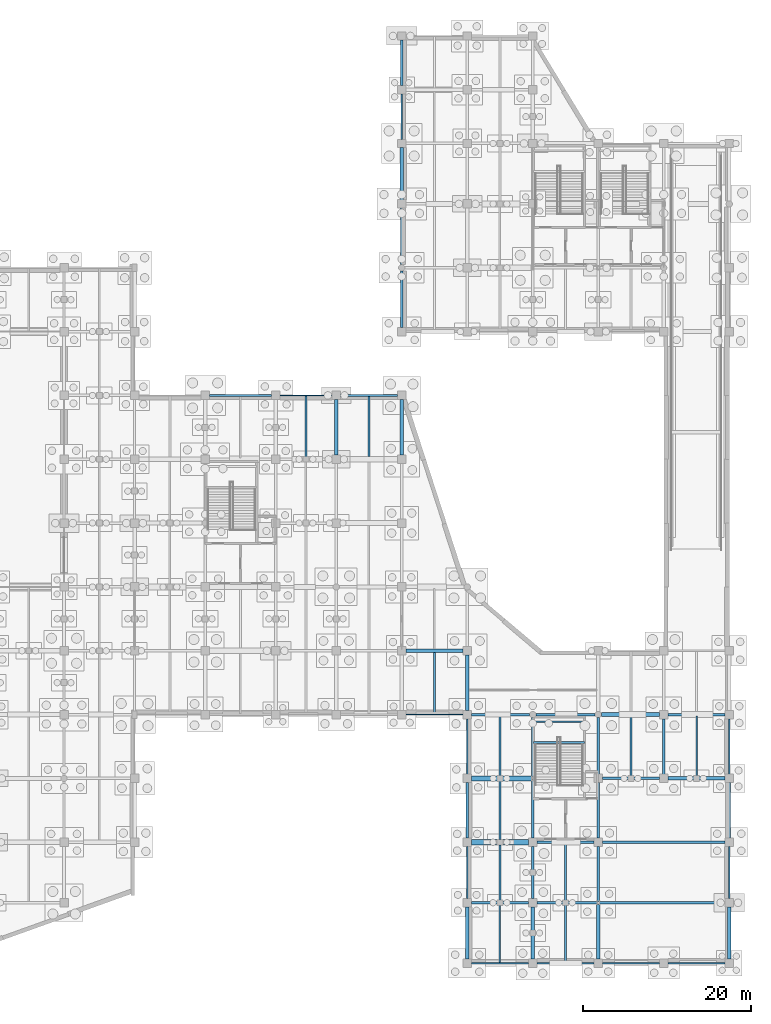
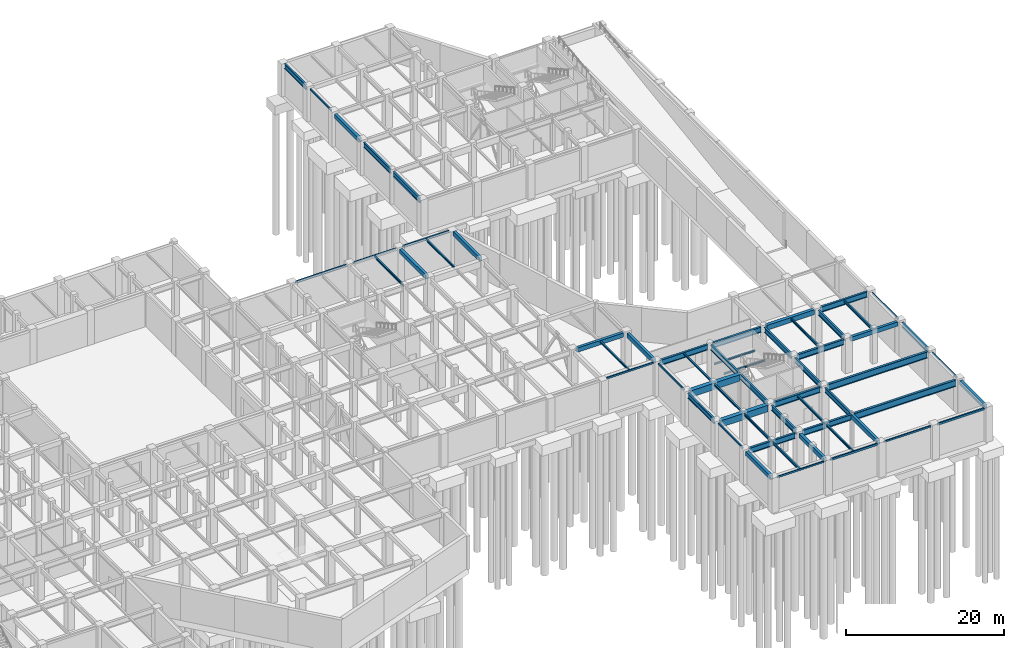
# One storey, part 28 of 52: 60 beams.
"""IFC4 building model written with IfcOpenShell, lengths in metres."""

from ifc_helpers import new_model, si_unit, direction, frame, origin, origin_2d, place, context, subcontext, project, spatial, rectangle, hollow_rectangle, i_section, extrude, material, material_profile, profile_set, type_object, element, save


model = new_model("IFC4")

# Units and contexts
model_context = context("Model", 3, precision=1e-05, world=origin(), true_north=direction((0.0, 1.0)))
body_context = subcontext(model_context, "Body", "Model", "MODEL_VIEW")
ifc_project = project(units=[si_unit("LENGTHUNIT", "METRE"), si_unit("AREAUNIT", "SQUARE_METRE"), si_unit("VOLUMEUNIT", "CUBIC_METRE"), si_unit("PLANEANGLEUNIT", "RADIAN"), si_unit("MASSUNIT", "GRAM", prefix="KILO")], contexts=[model_context])

# Site, building, storey
site_placement = place(None, origin())
site = spatial("IfcSite", under=ifc_project, at=site_placement, CompositionType="ELEMENT")
building_placement = place(site_placement, origin())
building = spatial("IfcBuilding", under=site, at=building_placement, Name="Xicomal Pleat Aquarium", CompositionType="ELEMENT")
storey_placement = place(building_placement, frame((0.0, 0.0, -5.39990234375)))
storey = spatial("IfcBuildingStorey", under=building, at=storey_placement, Name="B1", CompositionType="ELEMENT", Elevation=-5.39990234375)

# Beams
ifc_material_1 = material(Name="Concrete C40/50", Category="concrete")
ifc_material_profile_1 = material_profile(ifc_material_1, rectangle(XDim=0.39990234375, YDim=0.64990234375, at=origin_2d()), Name="RC 400x650")
ifc_profile_set_1 = profile_set([ifc_material_profile_1], Name="Concrete C40/50")
beam_type_1 = type_object("IfcBeamType", Name="BM-RC-400x650", PredefinedType="LINTEL", material=ifc_profile_set_1)
for number, where, z_axis, x_axis, name in (
    (1, (157.695068359375, 22.800048828125, 4.794921875), (1.0, 0.0, 0.0), (0.0, 1.0, 0.0), "B1 framing beam FGX-B1-20-21-D"),
    (2, (126.4951171875, 38.0, 4.81494140625), (1.0, 0.0, 0.0), (0.0, 1.0, 0.0), "B1 framing beam FGX-B1-16-17-F"),
):
    element("IfcBeam", number, at=place(storey_placement, frame(where, z_axis=z_axis, x_axis=x_axis)), inside=storey, type_object=beam_type_1, Name=name, PredefinedType="LINTEL", context=body_context, shape_type="SweptSolid", body=[
        extrude(rectangle(XDim=0.39990234375, YDim=0.64990234375, at=origin_2d()), origin(), (0.0, 0.0, 1.0), 6.809814453125),
    ])
for number, where, z_axis, x_axis, name in (
    (3, (118.199951171875, 61.294921875, 4.81494140625), (0.0, 1.0, 0.0), (-1.0, 0.0, 0.0), "B1 framing beam FGY-B1-15-J-K"),
    (4, (126.0, 61.294921875, 4.81494140625), (0.0, 1.0, 0.0), (-1.0, 0.0, 0.0), "B1 framing beam FGY-B1-16-J-K"),
):
    element("IfcBeam", number, at=place(storey_placement, frame(where, z_axis=z_axis, x_axis=x_axis)), inside=storey, type_object=beam_type_1, Name=name, PredefinedType="LINTEL", context=body_context, shape_type="SweptSolid", body=[
        extrude(rectangle(XDim=0.39990234375, YDim=0.64990234375, at=origin_2d()), origin(), (0.0, 0.0, 1.0), 6.610107421875),
    ])
for number, where, z_axis, x_axis, name in (
    (5, (126.0, 91.695068359375, 4.724853515625), (0.0, 1.0, 0.0), (-1.0, 0.0, 0.0), "B1 framing beam FGY-B1-16-N-P"),
    (6, (133.800048828125, 1.294921875, 4.794921875), (0.0, 1.0, 0.0), (-1.0, 0.0, 0.0), "B1 framing beam FGY-B1-17-A-B"),
):
    element("IfcBeam", number, at=place(storey_placement, frame(where, z_axis=z_axis, x_axis=x_axis)), inside=storey, type_object=beam_type_1, Name=name, PredefinedType="LINTEL", context=body_context, shape_type="SweptSolid", body=[
        extrude(rectangle(XDim=0.39990234375, YDim=0.64990234375, at=origin_2d()), origin(), (0.0, 0.0, 1.0), 6.2099609375),
    ])
beam_1_placement = place(storey_placement, frame((133.800048828125, 30.89501953125, 4.81494140625), z_axis=(0.0, 1.0, 0.0), x_axis=(-1.0, 0.0, 0.0)))
element("IfcBeam", 7, at=beam_1_placement, inside=storey, type_object=beam_type_1, Name="B1 framing beam FGY-B1-17-E-F", PredefinedType="LINTEL", context=body_context, shape_type="SweptSolid", body=[
    extrude(rectangle(XDim=0.39990234375, YDim=0.64990234375, at=origin_2d()), origin(), (0.0, 0.0, 1.0), 6.60986328125),
])
beam_2_placement = place(storey_placement, frame((141.60009765625, 1.294921875, 4.794921875), z_axis=(0.0, 1.0, 0.0), x_axis=(-1.0, 0.0, 0.0)))
element("IfcBeam", 8, at=beam_2_placement, inside=storey, type_object=beam_type_1, Name="B1 framing beam FGY-B1-18-A-B", PredefinedType="LINTEL", context=body_context, shape_type="SweptSolid", body=[
    extrude(rectangle(XDim=0.39990234375, YDim=0.64990234375, at=origin_2d()), origin(), (0.0, 0.0, 1.0), 6.2099609375),
])
beam_3_placement = place(storey_placement, frame((149.39990234375, 1.294921875, 4.794921875), z_axis=(0.0, 1.0, 0.0), x_axis=(-1.0, 0.0, 0.0)))
element("IfcBeam", 9, at=beam_3_placement, inside=storey, type_object=beam_type_1, Name="B1 framing beam FGY-B1-19-A-B", PredefinedType="LINTEL", context=body_context, shape_type="SweptSolid", body=[
    extrude(rectangle(XDim=0.39990234375, YDim=0.64990234375, at=origin_2d()), origin(), (0.0, 0.0, 1.0), 6.56005859375),
])
beam_4_placement = place(storey_placement, frame((165.0, 1.294921875, 4.794921875), z_axis=(0.0, 1.0, 0.0), x_axis=(-1.0, 0.0, 0.0)))
element("IfcBeam", 10, at=beam_4_placement, inside=storey, type_object=beam_type_1, Name="B1 framing beam FGY-B1-21-A-B", PredefinedType="LINTEL", context=body_context, shape_type="SweptSolid", body=[
    extrude(rectangle(XDim=0.39990234375, YDim=0.64990234375, at=origin_2d()), origin(), (0.0, 0.0, 1.0), 6.2099609375),
])
ifc_material_2 = material(Name="Concrete C40/50", Category="concrete")
ifc_material_profile_2 = material_profile(ifc_material_2, rectangle(XDim=0.449951171875, YDim=0.75, at=origin_2d()), Name="RC 450x750")
ifc_profile_set_2 = profile_set([ifc_material_profile_2], Name="Concrete C40/50")
beam_type_2 = type_object("IfcBeamType", Name="BM-RC-450x750", PredefinedType="BEAM", material=ifc_profile_set_2)
beam_5_placement = place(storey_placement, frame((149.77001953125, 30.39990234375, 4.744873046875), z_axis=(1.0, 0.0, 0.0), x_axis=(0.0, 1.0, 0.0)))
element("IfcBeam", 11, at=beam_5_placement, inside=storey, type_object=beam_type_2, Name="B1 framing beam FGX-B1-19-20-E", PredefinedType="BEAM", context=body_context, shape_type="SweptSolid", body=[
    extrude(rectangle(XDim=0.449951171875, YDim=0.75, at=origin_2d()), origin(), (0.0, 0.0, 1.0), 6.93505859375),
])
ifc_material_3 = material(Name="Concrete C40/50", Category="concrete")
ifc_material_profile_3 = material_profile(ifc_material_3, rectangle(XDim=0.60009765625, YDim=1.0, at=origin_2d()), Name="RC 600x1000")
ifc_profile_set_3 = profile_set([ifc_material_profile_3], Name="Concrete C40/50")
beam_type_3 = type_object("IfcBeamType", Name="BM-RC-600x1000", PredefinedType="T_BEAM", material=ifc_profile_set_3)
beam_6_placement = place(storey_placement, frame((134.294921875, 15.199951171875, 4.619873046875), z_axis=(1.0, 0.0, 0.0), x_axis=(0.0, 1.0, 0.0)))
element("IfcBeam", 12, at=beam_6_placement, inside=storey, type_object=beam_type_3, Name="B1 framing beam FGX-B1-17-18-C", PredefinedType="T_BEAM", context=body_context, shape_type="SweptSolid", body=[
    extrude(rectangle(XDim=0.60009765625, YDim=1.0, at=origin_2d()), origin(), (0.0, 0.0, 1.0), 6.81005859375),
])
beam_7_placement = place(storey_placement, frame((134.294921875, 22.800048828125, 4.619873046875), z_axis=(1.0, 0.0, 0.0), x_axis=(0.0, 1.0, 0.0)))
element("IfcBeam", 13, at=beam_7_placement, inside=storey, type_object=beam_type_3, Name="B1 framing beam FGX-B1-17-18-D", PredefinedType="T_BEAM", context=body_context, shape_type="SweptSolid", body=[
    extrude(rectangle(XDim=0.60009765625, YDim=1.0, at=origin_2d()), origin(), (0.0, 0.0, 1.0), 7.16015625),
])
ifc_material_4 = material(Name="Structural steel A992 Gr 50", Category="steel")
ifc_material_profile_4 = material_profile(ifc_material_4, i_section(OverallWidth=0.320068359375, OverallDepth=1.008056640625, WebThickness=0.01953125, FlangeThickness=0.033935546875, at=origin_2d()), Name="IR 1000x321")
ifc_profile_set_4 = profile_set([ifc_material_profile_4], Name="Structural steel A992 Gr 50")
beam_type_4 = type_object("IfcBeamType", Name="BM-STL-IR1000", PredefinedType="BEAM", material=ifc_profile_set_4)
beam_8_placement = place(storey_placement, frame((149.544921875, 8.0, 4.615966796875), z_axis=(1.0, 0.0, 0.0), x_axis=(0.0, 1.0, 0.0)))
element("IfcBeam", 14, at=beam_8_placement, inside=storey, type_object=beam_type_4, Name="B1 framing beam FGX-B1-19-21-B", PredefinedType="BEAM", context=body_context, shape_type="SweptSolid", body=[
    extrude(i_section(OverallWidth=0.320068359375, OverallDepth=1.008056640625, WebThickness=0.01953125, FlangeThickness=0.033935546875, at=origin_2d()), origin(), (0.0, 0.0, 1.0), 14.9599609375),
])
beam_9_placement = place(storey_placement, frame((149.89501953125, 15.199951171875, 4.615966796875), z_axis=(1.0, 0.0, 0.0), x_axis=(0.0, 1.0, 0.0)))
element("IfcBeam", 15, at=beam_9_placement, inside=storey, type_object=beam_type_4, Name="B1 framing beam FGX-B1-19-21-C", PredefinedType="BEAM", context=body_context, shape_type="SweptSolid", body=[
    extrude(i_section(OverallWidth=0.320068359375, OverallDepth=1.008056640625, WebThickness=0.01953125, FlangeThickness=0.033935546875, at=origin_2d()), origin(), (0.0, 0.0, 1.0), 14.60986328125),
])
ifc_material_5 = material(Name="Structural steel A992 Gr 50", Category="steel")
ifc_material_profile_5 = material_profile(ifc_material_5, i_section(OverallWidth=0.201904296875, OverallDepth=0.2470703125, WebThickness=0.00732421875, FlangeThickness=0.010986328125, at=origin_2d()), Name="IR 250x49")
ifc_profile_set_5 = profile_set([ifc_material_profile_5], Name="Structural steel A992 Gr 50")
beam_type_5 = type_object("IfcBeamType", Name="BM-STL-IR250", PredefinedType="JOIST", material=ifc_profile_set_5)
beam_10_placement = place(storey_placement, frame((129.89990234375, 30.47802734375, 5.016357421875), z_axis=(0.0, 1.0, 0.0), x_axis=(-1.0, 0.0, 0.0)))
element("IfcBeam", 16, at=beam_10_placement, inside=storey, type_object=beam_type_5, Name="B1 framing beam FBJ-B1-16-E-1", PredefinedType="JOIST", context=body_context, shape_type="SweptSolid", body=[
    extrude(i_section(OverallWidth=0.201904296875, OverallDepth=0.2470703125, WebThickness=0.00732421875, FlangeThickness=0.010986328125, at=origin_2d()), origin(), (0.0, 0.0, 1.0), 7.319091796875),
])
beam_11_placement = place(storey_placement, frame((137.699951171875, 23.10302734375, 4.996337890625), z_axis=(0.0, 1.0, 0.0), x_axis=(-1.0, 0.0, 0.0)))
element("IfcBeam", 17, at=beam_11_placement, inside=storey, type_object=beam_type_5, Name="B1 framing beam FBJ-B1-17-D-1", PredefinedType="JOIST", context=body_context, shape_type="SweptSolid", body=[
    extrude(i_section(OverallWidth=0.201904296875, OverallDepth=0.2470703125, WebThickness=0.00732421875, FlangeThickness=0.010986328125, at=origin_2d()), origin(), (0.0, 0.0, 1.0), 7.14697265625),
])
for number, where, z_axis, x_axis, name in (
    (18, (141.719970703125, 29.550048828125, 2.37890625), (1.0, 0.0, 0.0), (0.0, 1.0, 0.0), "ST-08-B1 half-landing bearer beam 1"),
    (19, (141.719970703125, 27.070068359375, 2.37890625), (1.0, 0.0, 0.0), (0.0, 1.0, 0.0), "ST-08-B1 half-landing bearer beam 2"),
):
    element("IfcBeam", number, at=place(storey_placement, frame(where, z_axis=z_axis, x_axis=x_axis)), inside=storey, type_object=beam_type_5, Name=name, PredefinedType="JOIST", context=body_context, shape_type="SweptSolid", body=[
        extrude(i_section(OverallWidth=0.201904296875, OverallDepth=0.2470703125, WebThickness=0.00732421875, FlangeThickness=0.010986328125, at=origin_2d()), origin(), (0.0, 0.0, 1.0), 6.02001953125),
    ])
ifc_material_6 = material(Name="Structural steel A992 Gr 50", Category="steel")
ifc_material_profile_6 = material_profile(ifc_material_6, i_section(OverallWidth=0.202880859375, OverallDepth=0.302978515625, WebThickness=0.007568359375, FlangeThickness=0.01318359375, at=origin_2d()), Name="IR 310x60")
ifc_profile_set_6 = profile_set([ifc_material_profile_6], Name="Structural steel A992 Gr 50")
beam_type_6 = type_object("IfcBeamType", Name="BM-STL-IR310", PredefinedType="JOIST", material=ifc_profile_set_6)
beam_12_placement = place(storey_placement, frame((122.10009765625, 61.10302734375, 4.98828125), z_axis=(0.0, 1.0, 0.0), x_axis=(-1.0, 0.0, 0.0)))
element("IfcBeam", 20, at=beam_12_placement, inside=storey, type_object=beam_type_6, Name="B1 framing beam FBJ-B1-15-J-1", PredefinedType="JOIST", context=body_context, shape_type="SweptSolid", body=[
    extrude(i_section(OverallWidth=0.202880859375, OverallDepth=0.302978515625, WebThickness=0.007568359375, FlangeThickness=0.01318359375, at=origin_2d()), origin(), (0.0, 0.0, 1.0), 7.194091796875),
])
beam_13_placement = place(storey_placement, frame((137.699951171875, 15.5029296875, 4.968505859375), z_axis=(0.0, 1.0, 0.0), x_axis=(-1.0, 0.0, 0.0)))
element("IfcBeam", 21, at=beam_13_placement, inside=storey, type_object=beam_type_6, Name="B1 framing beam FBJ-B1-17-C-1", PredefinedType="JOIST", context=body_context, shape_type="SweptSolid", body=[
    extrude(i_section(OverallWidth=0.202880859375, OverallDepth=0.302978515625, WebThickness=0.007568359375, FlangeThickness=0.01318359375, at=origin_2d()), origin(), (0.0, 0.0, 1.0), 6.994140625),
])
beam_14_placement = place(storey_placement, frame((145.5, 8.14990234375, 4.968505859375), z_axis=(0.0, 1.0, 0.0), x_axis=(-1.0, 0.0, 0.0)))
element("IfcBeam", 22, at=beam_14_placement, inside=storey, type_object=beam_type_6, Name="B1 framing beam FBJ-B1-18-B-1", PredefinedType="JOIST", context=body_context, shape_type="SweptSolid", body=[
    extrude(i_section(OverallWidth=0.202880859375, OverallDepth=0.302978515625, WebThickness=0.007568359375, FlangeThickness=0.01318359375, at=origin_2d()), origin(), (0.0, 0.0, 1.0), 6.900146484375),
])
ifc_material_7 = material(Name="Structural steel A992 Gr 50", Category="steel")
ifc_material_profile_7 = material_profile(ifc_material_7, i_section(OverallWidth=0.205078125, OverallDepth=0.35400390625, WebThickness=0.009521484375, FlangeThickness=0.016845703125, at=origin_2d()), Name="IR 360x79")
ifc_profile_set_7 = profile_set([ifc_material_profile_7], Name="Structural steel A992 Gr 50")
beam_type_7 = type_object("IfcBeamType", Name="BM-STL-IR360", PredefinedType="JOIST", material=ifc_profile_set_7)
beam_15_placement = place(storey_placement, frame((114.60009765625, 60.949951171875, 4.962890625), z_axis=(0.0, 1.0, 0.0), x_axis=(-1.0, 0.0, 0.0)))
element("IfcBeam", 23, at=beam_15_placement, inside=storey, type_object=beam_type_7, Name="B1 framing beam FBJ-B1-14-J-1", PredefinedType="JOIST", context=body_context, shape_type="SweptSolid", body=[
    extrude(i_section(OverallWidth=0.205078125, OverallDepth=0.35400390625, WebThickness=0.009521484375, FlangeThickness=0.016845703125, at=origin_2d()), origin(), (0.0, 0.0, 1.0), 7.3720703125),
])
beam_16_placement = place(storey_placement, frame((137.699951171875, 8.14990234375, 4.94287109375), z_axis=(0.0, 1.0, 0.0), x_axis=(-1.0, 0.0, 0.0)))
element("IfcBeam", 24, at=beam_16_placement, inside=storey, type_object=beam_type_7, Name="B1 framing beam FBJ-B1-17-B-1", PredefinedType="JOIST", context=body_context, shape_type="SweptSolid", body=[
    extrude(i_section(OverallWidth=0.205078125, OverallDepth=0.35400390625, WebThickness=0.009521484375, FlangeThickness=0.016845703125, at=origin_2d()), origin(), (0.0, 0.0, 1.0), 6.7470703125),
])
beam_17_placement = place(storey_placement, frame((145.5, 0.903076171875, 4.94287109375), z_axis=(0.0, 1.0, 0.0), x_axis=(-1.0, 0.0, 0.0)))
element("IfcBeam", 25, at=beam_17_placement, inside=storey, type_object=beam_type_7, Name="B1 framing beam FBJ-B1-18-A-1", PredefinedType="JOIST", context=body_context, shape_type="SweptSolid", body=[
    extrude(i_section(OverallWidth=0.205078125, OverallDepth=0.35400390625, WebThickness=0.009521484375, FlangeThickness=0.016845703125, at=origin_2d()), origin(), (0.0, 0.0, 1.0), 6.947021484375),
])
beam_18_placement = place(storey_placement, frame((153.300048828125, 22.949951171875, 4.94287109375), z_axis=(0.0, 1.0, 0.0), x_axis=(-1.0, 0.0, 0.0)))
element("IfcBeam", 26, at=beam_18_placement, inside=storey, type_object=beam_type_7, Name="B1 framing beam FBJ-B1-19-D-1", PredefinedType="JOIST", context=body_context, shape_type="SweptSolid", body=[
    extrude(i_section(OverallWidth=0.205078125, OverallDepth=0.35400390625, WebThickness=0.009521484375, FlangeThickness=0.016845703125, at=origin_2d()), origin(), (0.0, 0.0, 1.0), 7.22216796875),
])
ifc_material_8 = material(Name="Structural steel A992 Gr 50", Category="steel")
ifc_material_profile_8 = material_profile(ifc_material_8, i_section(OverallWidth=0.180908203125, OverallDepth=0.4169921875, WebThickness=0.010986328125, FlangeThickness=0.018310546875, at=origin_2d()), Name="IR 410x85")
ifc_profile_set_8 = profile_set([ifc_material_profile_8], Name="Structural steel A992 Gr 50")
beam_type_8 = type_object("IfcBeamType", Name="BM-STL-IR410", PredefinedType="JOIST", material=ifc_profile_set_8)
beam_19_placement = place(storey_placement, frame((137.699951171875, 0.8779296875, 4.911376953125), z_axis=(0.0, 1.0, 0.0), x_axis=(-1.0, 0.0, 0.0)))
element("IfcBeam", 27, at=beam_19_placement, inside=storey, type_object=beam_type_8, Name="B1 framing beam FBJ-B1-17-A-1", PredefinedType="JOIST", context=body_context, shape_type="SweptSolid", body=[
    extrude(i_section(OverallWidth=0.180908203125, OverallDepth=0.4169921875, WebThickness=0.010986328125, FlangeThickness=0.018310546875, at=origin_2d()), origin(), (0.0, 0.0, 1.0), 6.97216796875),
])
beam_20_placement = place(storey_placement, frame((161.10009765625, 23.0029296875, 4.911376953125), z_axis=(0.0, 1.0, 0.0), x_axis=(-1.0, 0.0, 0.0)))
element("IfcBeam", 28, at=beam_20_placement, inside=storey, type_object=beam_type_8, Name="B1 framing beam FBJ-B1-20-D-1", PredefinedType="JOIST", context=body_context, shape_type="SweptSolid", body=[
    extrude(i_section(OverallWidth=0.180908203125, OverallDepth=0.4169921875, WebThickness=0.010986328125, FlangeThickness=0.018310546875, at=origin_2d()), origin(), (0.0, 0.0, 1.0), 7.2470703125),
])
ifc_material_9 = material(Name="Structural steel A992 Gr 50", Category="steel")
ifc_material_profile_9 = material_profile(ifc_material_9, i_section(OverallWidth=0.26806640625, OverallDepth=0.77001953125, WebThickness=0.015625, FlangeThickness=0.025390625, at=origin_2d()), Name="IR 760x196")
ifc_profile_set_9 = profile_set([ifc_material_profile_9], Name="Structural steel A992 Gr 50")
beam_type_9 = type_object("IfcBeamType", Name="BM-STL-IR760", PredefinedType="BEAM", material=ifc_profile_set_9)
beam_21_placement = place(storey_placement, frame((126.0, 76.4951171875, 4.664794921875), z_axis=(0.0, 1.0, 0.0), x_axis=(-1.0, 0.0, 0.0)))
element("IfcBeam", 29, at=beam_21_placement, inside=storey, type_object=beam_type_9, Name="B1 framing beam FGY-B1-16-L-M", PredefinedType="BEAM", context=body_context, shape_type="SweptSolid", body=[
    extrude(i_section(OverallWidth=0.26806640625, OverallDepth=0.77001953125, WebThickness=0.015625, FlangeThickness=0.025390625, at=origin_2d()), origin(), (0.0, 0.0, 1.0), 6.73486328125),
])
beam_22_placement = place(storey_placement, frame((126.0, 83.969970703125, 4.664794921875), z_axis=(0.0, 1.0, 0.0), x_axis=(-1.0, 0.0, 0.0)))
element("IfcBeam", 30, at=beam_22_placement, inside=storey, type_object=beam_type_9, Name="B1 framing beam FGY-B1-16-M-N", PredefinedType="BEAM", context=body_context, shape_type="SweptSolid", body=[
    extrude(i_section(OverallWidth=0.26806640625, OverallDepth=0.77001953125, WebThickness=0.015625, FlangeThickness=0.025390625, at=origin_2d()), origin(), (0.0, 0.0, 1.0), 6.735107421875),
])
beam_23_placement = place(storey_placement, frame((126.0, 105.294921875, 4.664794921875), z_axis=(0.0, 1.0, 0.0), x_axis=(-1.0, 0.0, 0.0)))
element("IfcBeam", 31, at=beam_23_placement, inside=storey, type_object=beam_type_9, Name="B1 framing beam FGY-B1-16-Q-R", PredefinedType="BEAM", context=body_context, shape_type="SweptSolid", body=[
    extrude(i_section(OverallWidth=0.26806640625, OverallDepth=0.77001953125, WebThickness=0.015625, FlangeThickness=0.025390625, at=origin_2d()), origin(), (0.0, 0.0, 1.0), 5.41015625),
])
beam_24_placement = place(storey_placement, frame((133.800048828125, 15.695068359375, 4.73486328125), z_axis=(0.0, 1.0, 0.0), x_axis=(-1.0, 0.0, 0.0)))
element("IfcBeam", 32, at=beam_24_placement, inside=storey, type_object=beam_type_9, Name="B1 framing beam FGY-B1-17-C-D", PredefinedType="BEAM", context=body_context, shape_type="SweptSolid", body=[
    extrude(i_section(OverallWidth=0.26806640625, OverallDepth=0.77001953125, WebThickness=0.015625, FlangeThickness=0.025390625, at=origin_2d()), origin(), (0.0, 0.0, 1.0), 6.60986328125),
])
beam_25_placement = place(storey_placement, frame((141.60009765625, 8.4951171875, 4.73486328125), z_axis=(0.0, 1.0, 0.0), x_axis=(-1.0, 0.0, 0.0)))
element("IfcBeam", 33, at=beam_25_placement, inside=storey, type_object=beam_type_9, Name="B1 framing beam FGY-B1-18-B-C", PredefinedType="BEAM", context=body_context, shape_type="SweptSolid", body=[
    extrude(i_section(OverallWidth=0.26806640625, OverallDepth=0.77001953125, WebThickness=0.015625, FlangeThickness=0.025390625, at=origin_2d()), origin(), (0.0, 0.0, 1.0), 6.2099609375),
])
beam_26_placement = place(storey_placement, frame((141.60009765625, 15.695068359375, 4.73486328125), z_axis=(0.0, 1.0, 0.0), x_axis=(-1.0, 0.0, 0.0)))
element("IfcBeam", 34, at=beam_26_placement, inside=storey, type_object=beam_type_9, Name="B1 framing beam FGY-B1-18-C-D", PredefinedType="BEAM", context=body_context, shape_type="SweptSolid", body=[
    extrude(i_section(OverallWidth=0.26806640625, OverallDepth=0.77001953125, WebThickness=0.015625, FlangeThickness=0.025390625, at=origin_2d()), origin(), (0.0, 0.0, 1.0), 6.9599609375),
])
beam_27_placement = place(storey_placement, frame((141.60009765625, 22.945068359375, 4.73486328125), z_axis=(0.0, 1.0, 0.0), x_axis=(-1.0, 0.0, 0.0)))
element("IfcBeam", 35, at=beam_27_placement, inside=storey, type_object=beam_type_9, Name="B1 framing beam FGY-B1-18-D-E", PredefinedType="BEAM", context=body_context, shape_type="SweptSolid", body=[
    extrude(i_section(OverallWidth=0.26806640625, OverallDepth=0.77001953125, WebThickness=0.015625, FlangeThickness=0.025390625, at=origin_2d()), origin(), (0.0, 0.0, 1.0), 7.0849609375),
])
beam_28_placement = place(storey_placement, frame((149.39990234375, 8.14501953125, 4.73486328125), z_axis=(0.0, 1.0, 0.0), x_axis=(-1.0, 0.0, 0.0)))
element("IfcBeam", 36, at=beam_28_placement, inside=storey, type_object=beam_type_9, Name="B1 framing beam FGY-B1-19-B-C", PredefinedType="BEAM", context=body_context, shape_type="SweptSolid", body=[
    extrude(i_section(OverallWidth=0.26806640625, OverallDepth=0.77001953125, WebThickness=0.015625, FlangeThickness=0.025390625, at=origin_2d()), origin(), (0.0, 0.0, 1.0), 6.56005859375),
])
beam_29_placement = place(storey_placement, frame((149.39990234375, 15.695068359375, 4.73486328125), z_axis=(0.0, 1.0, 0.0), x_axis=(-1.0, 0.0, 0.0)))
element("IfcBeam", 37, at=beam_29_placement, inside=storey, type_object=beam_type_9, Name="B1 framing beam FGY-B1-19-C-D", PredefinedType="BEAM", context=body_context, shape_type="SweptSolid", body=[
    extrude(i_section(OverallWidth=0.26806640625, OverallDepth=0.77001953125, WebThickness=0.015625, FlangeThickness=0.025390625, at=origin_2d()), origin(), (0.0, 0.0, 1.0), 6.60986328125),
])
beam_30_placement = place(storey_placement, frame((149.39990234375, 23.294921875, 4.73486328125), z_axis=(0.0, 1.0, 0.0), x_axis=(-1.0, 0.0, 0.0)))
element("IfcBeam", 38, at=beam_30_placement, inside=storey, type_object=beam_type_9, Name="B1 framing beam FGY-B1-19-D-E", PredefinedType="BEAM", context=body_context, shape_type="SweptSolid", body=[
    extrude(i_section(OverallWidth=0.26806640625, OverallDepth=0.77001953125, WebThickness=0.015625, FlangeThickness=0.025390625, at=origin_2d()), origin(), (0.0, 0.0, 1.0), 6.735107421875),
])
beam_31_placement = place(storey_placement, frame((157.199951171875, 23.294921875, 4.73486328125), z_axis=(0.0, 1.0, 0.0), x_axis=(-1.0, 0.0, 0.0)))
element("IfcBeam", 39, at=beam_31_placement, inside=storey, type_object=beam_type_9, Name="B1 framing beam FGY-B1-20-D-E", PredefinedType="BEAM", context=body_context, shape_type="SweptSolid", body=[
    extrude(i_section(OverallWidth=0.26806640625, OverallDepth=0.77001953125, WebThickness=0.015625, FlangeThickness=0.025390625, at=origin_2d()), origin(), (0.0, 0.0, 1.0), 6.610107421875),
])
beam_32_placement = place(storey_placement, frame((165.0, 15.695068359375, 4.73486328125), z_axis=(0.0, 1.0, 0.0), x_axis=(-1.0, 0.0, 0.0)))
element("IfcBeam", 40, at=beam_32_placement, inside=storey, type_object=beam_type_9, Name="B1 framing beam FGY-B1-21-C-D", PredefinedType="BEAM", context=body_context, shape_type="SweptSolid", body=[
    extrude(i_section(OverallWidth=0.26806640625, OverallDepth=0.77001953125, WebThickness=0.015625, FlangeThickness=0.025390625, at=origin_2d()), origin(), (0.0, 0.0, 1.0), 6.60986328125),
])
ifc_material_10 = material(Name="Structural steel A992 Gr 50", Category="steel")
ifc_material_profile_10 = material_profile(ifc_material_10, i_section(OverallWidth=0.2939453125, OverallDepth=0.85107421875, WebThickness=0.01611328125, FlangeThickness=0.02685546875, at=origin_2d()), Name="IR 840x226")
ifc_profile_set_10 = profile_set([ifc_material_profile_10], Name="Structural steel A992 Gr 50")
beam_type_10 = type_object("IfcBeamType", Name="BM-STL-IR840", PredefinedType="BEAM", material=ifc_profile_set_10)
beam_33_placement = place(storey_placement, frame((134.294921875, 8.0, 4.6943359375), z_axis=(1.0, 0.0, 0.0), x_axis=(0.0, 1.0, 0.0)))
element("IfcBeam", 41, at=beam_33_placement, inside=storey, type_object=beam_type_10, Name="B1 framing beam FGX-B1-17-18-B", PredefinedType="BEAM", context=body_context, shape_type="SweptSolid", body=[
    extrude(i_section(OverallWidth=0.2939453125, OverallDepth=0.85107421875, WebThickness=0.01611328125, FlangeThickness=0.02685546875, at=origin_2d()), origin(), (0.0, 0.0, 1.0), 6.81005859375),
])
beam_34_placement = place(storey_placement, frame((142.094970703125, 8.0, 4.6943359375), z_axis=(1.0, 0.0, 0.0), x_axis=(0.0, 1.0, 0.0)))
element("IfcBeam", 42, at=beam_34_placement, inside=storey, type_object=beam_type_10, Name="B1 framing beam FGX-B1-18-19-B", PredefinedType="BEAM", context=body_context, shape_type="SweptSolid", body=[
    extrude(i_section(OverallWidth=0.2939453125, OverallDepth=0.85107421875, WebThickness=0.01611328125, FlangeThickness=0.02685546875, at=origin_2d()), origin(), (0.0, 0.0, 1.0), 7.159912109375),
])
for number, where, z_axis, x_axis, name in (
    (43, (142.094970703125, 15.199951171875, 4.6943359375), (1.0, 0.0, 0.0), (0.0, 1.0, 0.0), "B1 framing beam FGX-B1-18-19-C"),
    (44, (149.89501953125, 22.800048828125, 4.6943359375), (1.0, 0.0, 0.0), (0.0, 1.0, 0.0), "B1 framing beam FGX-B1-19-20-D"),
):
    element("IfcBeam", number, at=place(storey_placement, frame(where, z_axis=z_axis, x_axis=x_axis)), inside=storey, type_object=beam_type_10, Name=name, PredefinedType="BEAM", context=body_context, shape_type="SweptSolid", body=[
        extrude(i_section(OverallWidth=0.2939453125, OverallDepth=0.85107421875, WebThickness=0.01611328125, FlangeThickness=0.02685546875, at=origin_2d()), origin(), (0.0, 0.0, 1.0), 6.81005859375),
    ])
beam_35_placement = place(storey_placement, frame((134.294921875, 30.39990234375, 4.6943359375), z_axis=(1.0, 0.0, 0.0), x_axis=(0.0, 1.0, 0.0)))
element("IfcBeam", 45, at=beam_35_placement, inside=storey, type_object=beam_type_10, Name="B1 framing beam FGX-B1-17-18-E", PredefinedType="BEAM", context=body_context, shape_type="SweptSolid", body=[
    extrude(i_section(OverallWidth=0.2939453125, OverallDepth=0.85107421875, WebThickness=0.01611328125, FlangeThickness=0.02685546875, at=origin_2d()), origin(), (0.0, 0.0, 1.0), 6.93505859375),
])
beam_36_placement = place(storey_placement, frame((141.969970703125, 30.39990234375, 4.6943359375), z_axis=(1.0, 0.0, 0.0), x_axis=(0.0, 1.0, 0.0)))
element("IfcBeam", 46, at=beam_36_placement, inside=storey, type_object=beam_type_10, Name="B1 framing beam FGX-B1-18-19-E", PredefinedType="BEAM", context=body_context, shape_type="SweptSolid", body=[
    extrude(i_section(OverallWidth=0.2939453125, OverallDepth=0.85107421875, WebThickness=0.01611328125, FlangeThickness=0.02685546875, at=origin_2d()), origin(), (0.0, 0.0, 1.0), 7.06005859375),
])
beam_37_placement = place(storey_placement, frame((157.695068359375, 30.39990234375, 4.6943359375), z_axis=(1.0, 0.0, 0.0), x_axis=(0.0, 1.0, 0.0)))
element("IfcBeam", 47, at=beam_37_placement, inside=storey, type_object=beam_type_10, Name="B1 framing beam FGX-B1-20-21-E", PredefinedType="BEAM", context=body_context, shape_type="SweptSolid", body=[
    extrude(i_section(OverallWidth=0.2939453125, OverallDepth=0.85107421875, WebThickness=0.01611328125, FlangeThickness=0.02685546875, at=origin_2d()), origin(), (0.0, 0.0, 1.0), 6.809814453125),
])
ifc_material_11 = material(Name="Structural steel A500 Gr C", Category="steel")
ifc_material_profile_11 = material_profile(ifc_material_11, hollow_rectangle(XDim=0.14990234375, YDim=0.25, WallThickness=0.010009765625, at=origin_2d()), Name="OR 250x150x10")
ifc_profile_set_11 = profile_set([ifc_material_profile_11], Name="Structural steel A500 Gr C")
beam_type_11 = type_object("IfcBeamType", Name="BM-STL-OR250", PredefinedType="SPANDREL", material=ifc_profile_set_11)
for number, where, z_axis, x_axis, name in (
    (48, (134.294921875, 0.800048828125, 4.994873046875), (1.0, 0.0, 0.0), (0.0, 1.0, 0.0), "B1 framing beam FGX-B1-17-18-A"),
    (49, (149.89501953125, 0.800048828125, 4.994873046875), (1.0, 0.0, 0.0), (0.0, 1.0, 0.0), "B1 framing beam FGX-B1-19-20-A"),
):
    element("IfcBeam", number, at=place(storey_placement, frame(where, z_axis=z_axis, x_axis=x_axis)), inside=storey, type_object=beam_type_11, Name=name, PredefinedType="SPANDREL", context=body_context, shape_type="SweptSolid", body=[
        extrude(hollow_rectangle(XDim=0.14990234375, YDim=0.25, WallThickness=0.010009765625, at=origin_2d()), origin(), (0.0, 0.0, 1.0), 6.81005859375),
    ])
beam_38_placement = place(storey_placement, frame((126.4951171875, 30.39990234375, 5.014892578125), z_axis=(1.0, 0.0, 0.0), x_axis=(0.0, 1.0, 0.0)))
element("IfcBeam", 50, at=beam_38_placement, inside=storey, type_object=beam_type_11, Name="B1 framing beam FGX-B1-16-17-E", PredefinedType="SPANDREL", context=body_context, shape_type="SweptSolid", body=[
    extrude(hollow_rectangle(XDim=0.14990234375, YDim=0.25, WallThickness=0.010009765625, at=origin_2d()), origin(), (0.0, 0.0, 1.0), 6.809814453125),
])
beam_39_placement = place(storey_placement, frame((111.4951171875, 68.39990234375, 5.014892578125), z_axis=(1.0, 0.0, 0.0), x_axis=(0.0, 1.0, 0.0)))
element("IfcBeam", 51, at=beam_39_placement, inside=storey, type_object=beam_type_11, Name="B1 framing beam FGX-B1-14-15-K", PredefinedType="SPANDREL", context=body_context, shape_type="SweptSolid", body=[
    extrude(hollow_rectangle(XDim=0.14990234375, YDim=0.25, WallThickness=0.010009765625, at=origin_2d()), origin(), (0.0, 0.0, 1.0), 6.2099609375),
])
beam_40_placement = place(storey_placement, frame((126.0, 98.89501953125, 4.9248046875), z_axis=(0.0, 1.0, 0.0), x_axis=(-1.0, 0.0, 0.0)))
element("IfcBeam", 52, at=beam_40_placement, inside=storey, type_object=beam_type_11, Name="B1 framing beam FGY-B1-16-P-Q", PredefinedType="SPANDREL", context=body_context, shape_type="SweptSolid", body=[
    extrude(hollow_rectangle(XDim=0.14990234375, YDim=0.25, WallThickness=0.010009765625, at=origin_2d()), origin(), (0.0, 0.0, 1.0), 5.409912109375),
])
beam_41_placement = place(storey_placement, frame((133.800048828125, 8.4951171875, 4.994873046875), z_axis=(0.0, 1.0, 0.0), x_axis=(-1.0, 0.0, 0.0)))
element("IfcBeam", 53, at=beam_41_placement, inside=storey, type_object=beam_type_11, Name="B1 framing beam FGY-B1-17-B-C", PredefinedType="SPANDREL", context=body_context, shape_type="SweptSolid", body=[
    extrude(hollow_rectangle(XDim=0.14990234375, YDim=0.25, WallThickness=0.010009765625, at=origin_2d()), origin(), (0.0, 0.0, 1.0), 6.2099609375),
])
beam_42_placement = place(storey_placement, frame((133.800048828125, 23.294921875, 4.994873046875), z_axis=(0.0, 1.0, 0.0), x_axis=(-1.0, 0.0, 0.0)))
element("IfcBeam", 54, at=beam_42_placement, inside=storey, type_object=beam_type_11, Name="B1 framing beam FGY-B1-17-D-E", PredefinedType="SPANDREL", context=body_context, shape_type="SweptSolid", body=[
    extrude(hollow_rectangle(XDim=0.14990234375, YDim=0.25, WallThickness=0.010009765625, at=origin_2d()), origin(), (0.0, 0.0, 1.0), 6.610107421875),
])
beam_43_placement = place(storey_placement, frame((165.0, 8.4951171875, 4.994873046875), z_axis=(0.0, 1.0, 0.0), x_axis=(-1.0, 0.0, 0.0)))
element("IfcBeam", 55, at=beam_43_placement, inside=storey, type_object=beam_type_11, Name="B1 framing beam FGY-B1-21-B-C", PredefinedType="SPANDREL", context=body_context, shape_type="SweptSolid", body=[
    extrude(hollow_rectangle(XDim=0.14990234375, YDim=0.25, WallThickness=0.010009765625, at=origin_2d()), origin(), (0.0, 0.0, 1.0), 6.2099609375),
])
beam_44_placement = place(storey_placement, frame((165.0, 23.294921875, 4.994873046875), z_axis=(0.0, 1.0, 0.0), x_axis=(-1.0, 0.0, 0.0)))
element("IfcBeam", 56, at=beam_44_placement, inside=storey, type_object=beam_type_11, Name="B1 framing beam FGY-B1-21-D-E", PredefinedType="SPANDREL", context=body_context, shape_type="SweptSolid", body=[
    extrude(hollow_rectangle(XDim=0.14990234375, YDim=0.25, WallThickness=0.010009765625, at=origin_2d()), origin(), (0.0, 0.0, 1.0), 6.610107421875),
])
ifc_material_12 = material(Name="Structural steel A500 Gr C", Category="steel")
ifc_material_profile_12 = material_profile(ifc_material_12, hollow_rectangle(XDim=0.199951171875, YDim=0.300048828125, WallThickness=0.011962890625, at=origin_2d()), Name="OR 300x200x12")
ifc_profile_set_12 = profile_set([ifc_material_profile_12], Name="Structural steel A500 Gr C")
beam_type_12 = type_object("IfcBeamType", Name="BM-STL-OR300", PredefinedType="SPANDREL", material=ifc_profile_set_12)
beam_45_placement = place(storey_placement, frame((142.094970703125, 0.800048828125, 4.969970703125), z_axis=(1.0, 0.0, 0.0), x_axis=(0.0, 1.0, 0.0)))
element("IfcBeam", 57, at=beam_45_placement, inside=storey, type_object=beam_type_12, Name="B1 framing beam FGX-B1-18-19-A", PredefinedType="SPANDREL", context=body_context, shape_type="SweptSolid", body=[
    extrude(hollow_rectangle(XDim=0.199951171875, YDim=0.300048828125, WallThickness=0.011962890625, at=origin_2d()), origin(), (0.0, 0.0, 1.0), 6.81005859375),
])
beam_46_placement = place(storey_placement, frame((157.695068359375, 0.800048828125, 4.969970703125), z_axis=(1.0, 0.0, 0.0), x_axis=(0.0, 1.0, 0.0)))
element("IfcBeam", 58, at=beam_46_placement, inside=storey, type_object=beam_type_12, Name="B1 framing beam FGX-B1-20-21-A", PredefinedType="SPANDREL", context=body_context, shape_type="SweptSolid", body=[
    extrude(hollow_rectangle(XDim=0.199951171875, YDim=0.300048828125, WallThickness=0.011962890625, at=origin_2d()), origin(), (0.0, 0.0, 1.0), 6.809814453125),
])
beam_47_placement = place(storey_placement, frame((103.094970703125, 68.39990234375, 4.989990234375), z_axis=(1.0, 0.0, 0.0), x_axis=(0.0, 1.0, 0.0)))
element("IfcBeam", 59, at=beam_47_placement, inside=storey, type_object=beam_type_12, Name="B1 framing beam FGX-B1-13-14-K", PredefinedType="SPANDREL", context=body_context, shape_type="SweptSolid", body=[
    extrude(hollow_rectangle(XDim=0.199951171875, YDim=0.300048828125, WallThickness=0.011962890625, at=origin_2d()), origin(), (0.0, 0.0, 1.0), 7.409912109375),
])
beam_48_placement = place(storey_placement, frame((118.695068359375, 68.39990234375, 4.989990234375), z_axis=(1.0, 0.0, 0.0), x_axis=(0.0, 1.0, 0.0)))
element("IfcBeam", 60, at=beam_48_placement, inside=storey, type_object=beam_type_12, Name="B1 framing beam FGX-B1-15-16-K", PredefinedType="SPANDREL", context=body_context, shape_type="SweptSolid", body=[
    extrude(hollow_rectangle(XDim=0.199951171875, YDim=0.300048828125, WallThickness=0.011962890625, at=origin_2d()), origin(), (0.0, 0.0, 1.0), 6.809814453125),
])

save(model, "model.ifc")
